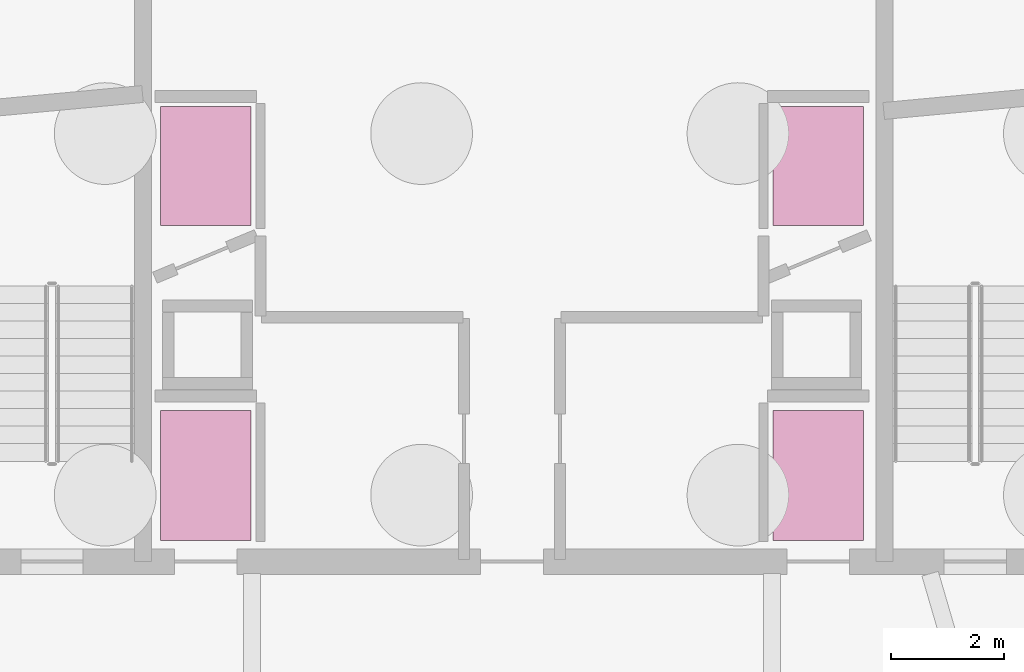
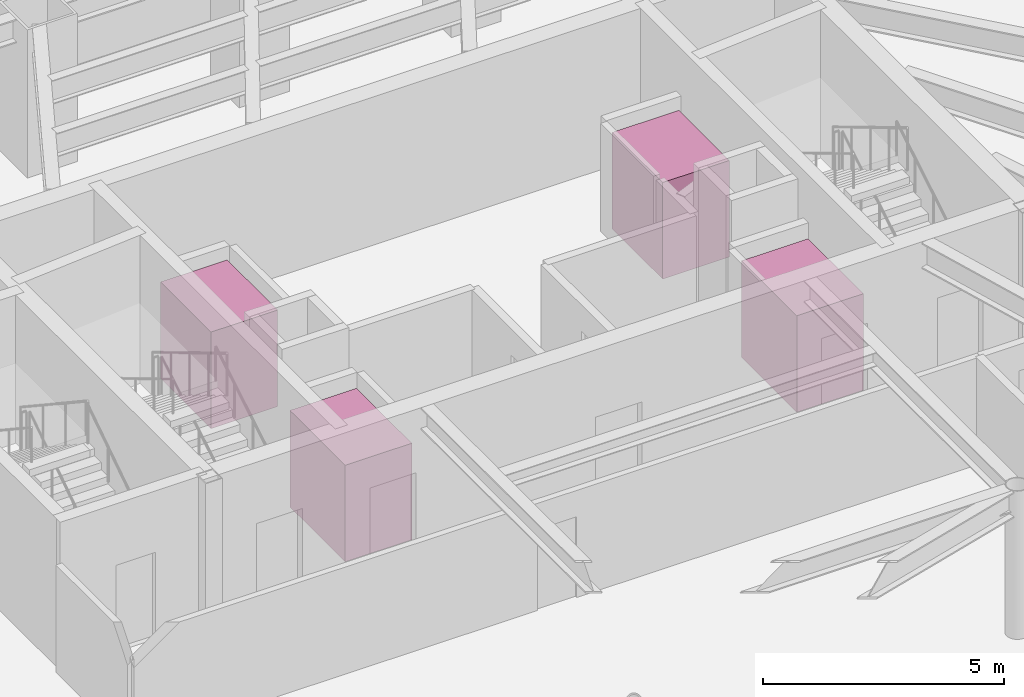
# One storey, part 19 of 19: 4 transport elements.
"""IFC4 building model written with IfcOpenShell, lengths in metres."""

import ifcopenshell
import ifcopenshell.guid

model = None  # the IFC model being written
_history = None  # IfcOwnerHistory: only IFC2X3 demands one
_inside = {}  # id of a spatial element -> (the spatial element, [elements in it])
_under = {}  # id of a project, library or spatial element -> (it, [spatial elements below it])
_declared = {}  # id of a project -> (the project, [libraries it declares])
_typed = {}  # id of a type object -> (the type object, [elements of that type])
_made_of = {}  # id of a material, layer set ... -> (it, [elements and type objects made of it])


def new_model(schema):
    """Start an empty IFC model of exactly this schema.

    Asked for "IFC4X3", IfcOpenShell would pick the latest addendum, in which some entities
    have other attributes; the version numbers below select the first issue.
    IFC2X3 requires an IfcOwnerHistory on every rooted entity: one is made here for all.
    """
    global model, _history
    if schema == "IFC4X3":
        model = ifcopenshell.file(schema_version=(4, 3, 0, 0))
    else:
        model = ifcopenshell.file(schema=schema)
    _inside.clear()
    _under.clear()
    _declared.clear()
    _typed.clear()
    _made_of.clear()
    _history = None
    if model.schema == "IFC2X3":
        org = make("IfcOrganization", Name="unknown")
        user = make(
            "IfcPersonAndOrganization",
            ThePerson=make("IfcPerson", FamilyName="unknown"),
            TheOrganization=org,
        )
        app = make(
            "IfcApplication",
            ApplicationDeveloper=org,
            Version="unknown",
            ApplicationFullName="unknown",
            ApplicationIdentifier="unknown",
        )
        _history = make(
            "IfcOwnerHistory",
            OwningUser=user,
            OwningApplication=app,
            ChangeAction="ADDED",
            CreationDate=0,
        )
    return model


def make(cls, **values):
    """One entity of the class cls with the attributes given. An attribute that is None is left unset."""
    return model.create_entity(
        cls, **{name: value for name, value in values.items() if value is not None}
    )


def rooted(cls, **values):
    """An entity with a GlobalId (a new one), such as an element, a storey or a relation."""
    return make(cls, GlobalId=ifcopenshell.guid.new(), OwnerHistory=_history, **values)


def si_unit(unit_type, name, prefix=None):
    """IfcSIUnit, for example si_unit("LENGTHUNIT", "METRE", prefix="MILLI")."""
    return make("IfcSIUnit", UnitType=unit_type, Prefix=prefix, Name=name)


def assignment(units):
    """IfcUnitAssignment: the units of a project."""
    return None if units is None else make("IfcUnitAssignment", Units=units)


def point(xyz):
    """IfcCartesianPoint."""
    return None if xyz is None else make("IfcCartesianPoint", Coordinates=xyz)


def direction(xyz):
    """IfcDirection."""
    return None if xyz is None else make("IfcDirection", DirectionRatios=xyz)


def frame(location, z_axis=None, x_axis=None):
    """IfcAxis2Placement3D, a coordinate frame: its origin and axes. An axis left out is left unset."""
    return make(
        "IfcAxis2Placement3D",
        Location=point(location),
        Axis=direction(z_axis),
        RefDirection=direction(x_axis),
    )


def frame_2d(location, x_axis=None):
    """IfcAxis2Placement2D, a coordinate frame in the plane: its origin and x axis."""
    return make(
        "IfcAxis2Placement2D", Location=point(location), RefDirection=direction(x_axis)
    )


def origin():
    """The frame at (0, 0, 0) with its axes left unset."""
    return frame((0.0, 0.0, 0.0))


def origin_2d():
    """The frame at (0, 0) in the plane with its x axis left unset."""
    return frame_2d((0.0, 0.0))


def place(relative_to, where):
    """IfcLocalPlacement: puts the frame where relative to a parent placement (None: the world)."""
    return make(
        "IfcLocalPlacement", PlacementRelTo=relative_to, RelativePlacement=where
    )


def context(
    kind, dimensions, precision=None, world=None, true_north=None, identifier=None
):
    """IfcGeometricRepresentationContext, for example the 3D "Model" context."""
    return make(
        "IfcGeometricRepresentationContext",
        ContextIdentifier=identifier,
        ContextType=kind,
        CoordinateSpaceDimension=dimensions,
        Precision=precision,
        WorldCoordinateSystem=world,
        TrueNorth=true_north,
    )


def subcontext(parent, identifier, kind, view, scale=None):
    """IfcGeometricRepresentationSubContext, for example "Body" below "Model"."""
    return make(
        "IfcGeometricRepresentationSubContext",
        ContextIdentifier=identifier,
        ContextType=kind,
        ParentContext=parent,
        TargetScale=scale,
        TargetView=view,
    )


def project(units=None, contexts=None):
    """IfcProject with its units and contexts."""
    return rooted(
        "IfcProject",
        Name="project",
        RepresentationContexts=contexts,
        UnitsInContext=assignment(units),
    )


def spatial(cls, under=None, at=None, **own):
    """A site, building, storey or space (cls), placed at a placement, below another one or the project."""
    s = rooted(cls, ObjectPlacement=at, **own)
    if under is not None:
        _under.setdefault(under.id(), (under, []))[1].append(s)
    return s


def profile(cls, at=None, kind="AREA", **sizes):
    """A parametric profile (cls). Its sizes go by their IFC names, for example OverallWidth=200.0."""
    return make(cls, ProfileType=kind, Position=at, **sizes)


def rectangle(**sizes):
    """IfcRectangleProfileDef."""
    return profile("IfcRectangleProfileDef", **sizes)


def extrude(swept, where, along, depth):
    """IfcExtrudedAreaSolid: the profile swept, set in the frame where, extruded along a direction by depth."""
    return make(
        "IfcExtrudedAreaSolid",
        SweptArea=swept,
        Position=where,
        ExtrudedDirection=direction(along),
        Depth=depth,
    )


def shape(context_of_items, identifier, shape_type, items):
    """IfcShapeRepresentation: the items that make up one representation, for example the "Body"."""
    return make(
        "IfcShapeRepresentation",
        ContextOfItems=context_of_items,
        RepresentationIdentifier=identifier,
        RepresentationType=shape_type,
        Items=items,
    )


def material(Name=None, Category=None):
    """IfcMaterial."""
    return make("IfcMaterial", Name=Name, Category=Category)


def made_of(thing, what):
    """Note that an element or type object is made of a material, layer set ...; save() writes the relation."""
    if what is not None:
        _made_of.setdefault(what.id(), (what, []))[1].append(thing)
    return thing


def type_object(cls, material=None, **own):
    """A type object (cls), such as IfcWallType, which elements share."""
    return made_of(rooted(cls, **own), material)


def element(
    cls,
    number,
    at=None,
    inside=None,
    cuts=None,
    type_object=None,
    material=None,
    context=None,
    identifier="Body",
    shape_type=None,
    held_by="IfcProductDefinitionShape",
    body=None,
    shapes=None,
    **own,
):
    """One element of the class cls, such as IfcWall. Its Tag is "e" and its number.

    at: its placement. inside: the storey or other place that contains it. cuts: it is an
    opening in that element (IfcRelVoidsElement). A single representation is given by context,
    identifier, shape_type and body (its items); several are given by shapes. held_by: the class
    of the entity that holds the representations. save() writes the other relations.
    """
    e = rooted(cls, Tag="e%d" % number, ObjectPlacement=at, **own)
    if body is not None:
        shapes = [shape(context, identifier, shape_type, body)]
    if shapes is not None:
        e.Representation = make(held_by, Representations=shapes)
    if inside is not None:
        _inside.setdefault(inside.id(), (inside, []))[1].append(e)
    if cuts is not None:
        rooted(
            "IfcRelVoidsElement", RelatingBuildingElement=cuts, RelatedOpeningElement=e
        )
    if type_object is not None:
        _typed.setdefault(type_object.id(), (type_object, []))[1].append(e)
    return made_of(e, material)


def aggregate(whole, parts):
    """IfcRelAggregates: a whole, such as a stair, and the parts it consists of."""
    return rooted("IfcRelAggregates", RelatingObject=whole, RelatedObjects=parts)


def save(model, path):
    """Write the relations noted so far, then the file.

    IfcRelAggregates (storeys below a building ...), IfcRelContainedInSpatialStructure (elements
    in a storey), IfcRelDefinesByType, IfcRelAssociatesMaterial and IfcRelDeclares: one each for
    every whole, place, type object, material and project.
    """
    for whole, parts in _under.values():
        aggregate(whole, parts)
    for where, things in _inside.values():
        rooted(
            "IfcRelContainedInSpatialStructure",
            RelatedElements=things,
            RelatingStructure=where,
        )
    for kind, things in _typed.values():
        rooted("IfcRelDefinesByType", RelatedObjects=things, RelatingType=kind)
    for what, things in _made_of.values():
        rooted("IfcRelAssociatesMaterial", RelatedObjects=things, RelatingMaterial=what)
    for by, libraries in _declared.values():
        rooted("IfcRelDeclares", RelatingContext=by, RelatedDefinitions=libraries)
    model.write(path)


model = new_model("IFC4")

# Units and contexts
model_context = context("Model", 3, precision=1e-05, world=origin(), true_north=direction((0.0, 1.0)))
body_context = subcontext(model_context, "Body", "Model", "MODEL_VIEW")
ifc_project = project(units=[si_unit("LENGTHUNIT", "METRE"), si_unit("AREAUNIT", "SQUARE_METRE"), si_unit("VOLUMEUNIT", "CUBIC_METRE"), si_unit("PLANEANGLEUNIT", "RADIAN"), si_unit("MASSUNIT", "GRAM", prefix="KILO")], contexts=[model_context])

# Site, building, storey
site_placement = place(None, origin())
site = spatial("IfcSite", under=ifc_project, at=site_placement, CompositionType="ELEMENT")
building_placement = place(site_placement, origin())
building = spatial("IfcBuilding", under=site, at=building_placement, Name="Zarrinselat Tower", CompositionType="ELEMENT")
storey_placement = place(building_placement, frame((0.0, 0.0, -8.159912109375)))
storey = spatial("IfcBuildingStorey", under=building, at=storey_placement, Name="B02", CompositionType="ELEMENT", Elevation=-8.159912109375)

# Transport elements
ifc_material_1 = material(Name="Steel S355J2", Category="steel")
transport_element_type_1 = type_object("IfcTransportElementType", Name="LFT-CAR-FF1800", PredefinedType="ELEVATOR", material=ifc_material_1)
for number, where, z_axis, x_axis, name in (
    (1, (32.97998046875, 34.75, 0.0), (0.0, 0.0, 1.0), (1.0, 0.0, 0.0), "Firefighting Lift FFL1"),
    (2, (43.820068359375, 34.75, 0.0), (0.0, 0.0, 1.0), (1.0, 0.0, 0.0), "Firefighting Lift FFL2"),
):
    element("IfcTransportElement", number, at=place(storey_placement, frame(where, z_axis=z_axis, x_axis=x_axis)), inside=storey, type_object=transport_element_type_1, Name=name, PredefinedType="ELEVATOR", context=body_context, shape_type="SweptSolid", body=[
        extrude(rectangle(XDim=1.60009765625, YDim=2.300048828125, at=origin_2d()), origin(), (0.0, 0.0, 1.0), 2.449951171875),
    ])
ifc_material_2 = material(Name="Steel S355J2", Category="steel")
transport_element_type_2 = type_object("IfcTransportElementType", Name="LFT-CAR-PS1600", PredefinedType="ELEVATOR", material=ifc_material_2)
for number, where, z_axis, x_axis, name in (
    (3, (32.97998046875, 40.22509765625, 0.0), (0.0, 0.0, 1.0), (1.0, 0.0, 0.0), "Basement Shuttle Lift BSL1"),
    (4, (43.820068359375, 40.22509765625, 0.0), (0.0, 0.0, 1.0), (1.0, 0.0, 0.0), "Basement Shuttle Lift BSL2"),
):
    element("IfcTransportElement", number, at=place(storey_placement, frame(where, z_axis=z_axis, x_axis=x_axis)), inside=storey, type_object=transport_element_type_2, Name=name, PredefinedType="ELEVATOR", context=body_context, shape_type="SweptSolid", body=[
        extrude(rectangle(XDim=1.60009765625, YDim=2.10009765625, at=origin_2d()), origin(), (0.0, 0.0, 1.0), 2.449951171875),
    ])

save(model, "model.ifc")
